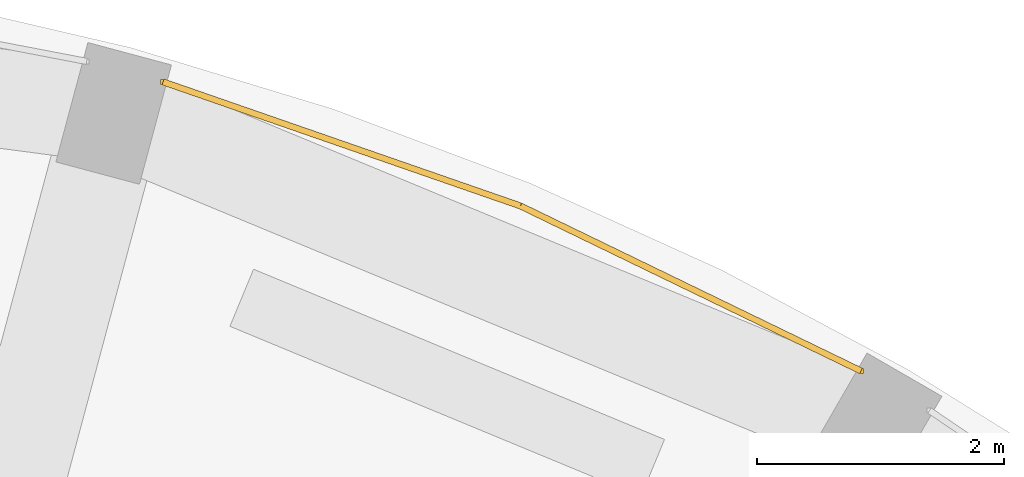
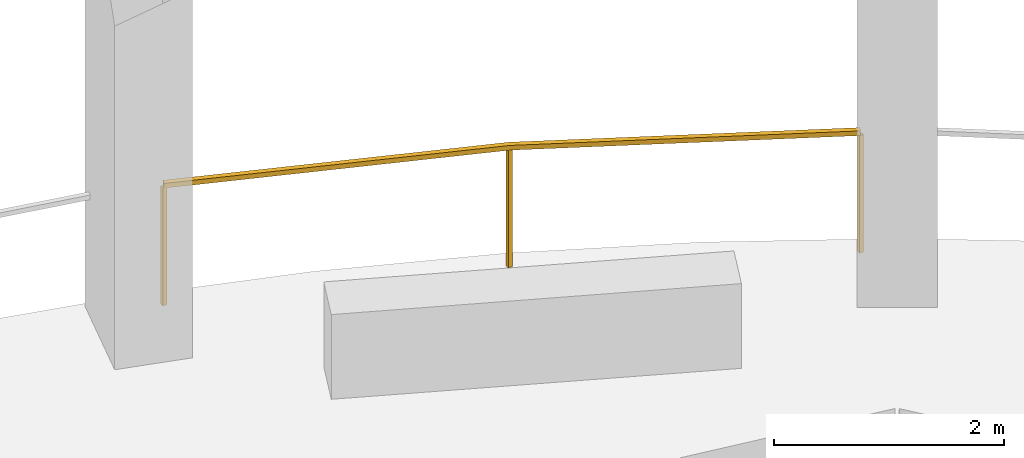
# One storey, part 9 of 9: 1 railing.
"""IFC4 building model written with IfcOpenShell, lengths in metres."""

from ifc_helpers import new_model, si_unit, direction, frame, origin, origin_2d, place, context, subcontext, project, spatial, rectangle, extrude, material, type_object, element, save


model = new_model("IFC4")

# Units and contexts
model_context = context("Model", 3, precision=1e-05, world=origin(), true_north=direction((0.0, 1.0)))
body_context = subcontext(model_context, "Body", "Model", "MODEL_VIEW")
ifc_project = project(units=[si_unit("LENGTHUNIT", "METRE"), si_unit("AREAUNIT", "SQUARE_METRE"), si_unit("VOLUMEUNIT", "CUBIC_METRE"), si_unit("PLANEANGLEUNIT", "RADIAN"), si_unit("MASSUNIT", "GRAM", prefix="KILO")], contexts=[model_context])

# Site, building, storey
site_placement = place(None, origin())
site = spatial("IfcSite", under=ifc_project, at=site_placement, CompositionType="ELEMENT")
building_placement = place(site_placement, origin())
building = spatial("IfcBuilding", under=site, at=building_placement, Name="Torre Triforio", CompositionType="ELEMENT")
storey_placement = place(building_placement, frame((0.0, 0.0, 98.60009765625)))
storey = spatial("IfcBuildingStorey", under=building, at=storey_placement, Name="L21", CompositionType="ELEMENT", Elevation=98.60009765625)

# Railing
ifc_material = material(Name="Stainless steel AISI 316", Category="steel")
railing_type = type_object("IfcRailingType", Name="Loggia guard 1300", PredefinedType="GUARDRAIL", material=ifc_material)
railing_placement = place(storey_placement, frame((12.64794921875, 22.546875, 0.0)))
element("IfcRailing", 1, at=railing_placement, inside=storey, type_object=railing_type, Name="Loggia guard L21 bay 05", PredefinedType="GUARDRAIL", context=body_context, shape_type="SweptSolid", body=[
    extrude(rectangle(XDim=0.050048828125, YDim=0.050048828125, at=origin_2d()), frame((0.0, 0.0, 1.27490234375), z_axis=(-0.899891864914, 0.436113094806, 0.0), x_axis=(-0.436113094806, -0.899891864914, 0.0)), (0.0, 0.0, 1.0), 3.062255859375),
    extrude(rectangle(XDim=0.050048828125, YDim=0.050048828125, at=origin_2d()), frame((-2.755615234375, 1.33544921875, 1.27490234375), z_axis=(-0.944704198295, 0.327923737665, 0.0), x_axis=(-0.327923737665, -0.944704198295, 0.0)), (0.0, 0.0, 1.0), 3.062255859375),
    extrude(rectangle(XDim=0.0400390625, YDim=0.0400390625, at=origin_2d()), origin(), (0.0, 0.0, 1.0), 1.25),
    extrude(rectangle(XDim=0.0400390625, YDim=0.0400390625, at=origin_2d()), frame((-2.755615234375, 1.33544921875, 0.0)), (0.0, 0.0, 1.0), 1.25),
    extrude(rectangle(XDim=0.0400390625, YDim=0.0400390625, at=origin_2d()), frame((-5.6484375, 2.339599609375, 0.0)), (0.0, 0.0, 1.0), 1.25),
])

save(model, "model.ifc")
